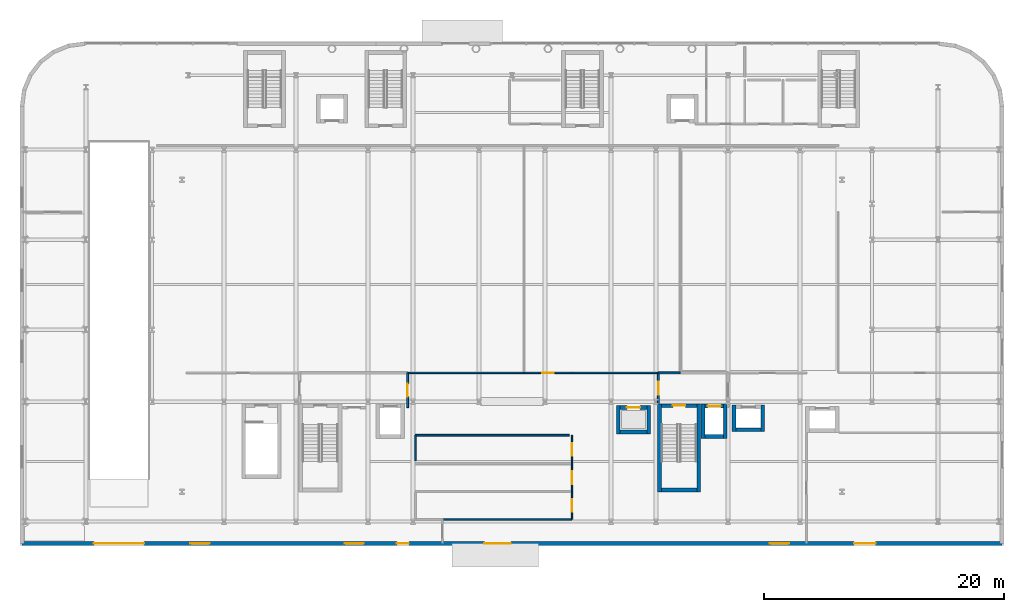
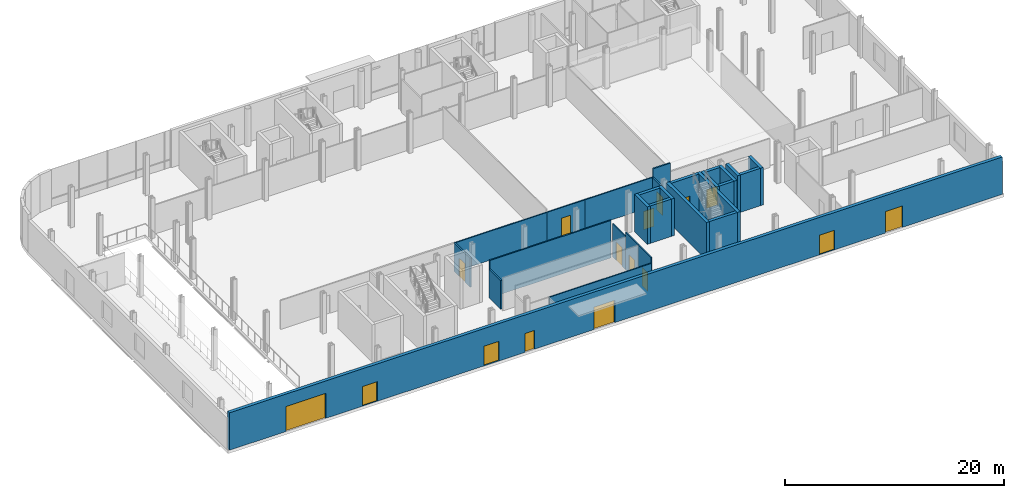
# One storey, part 18 of 28: 28 walls, 16 doors, 16 openings.
"""IFC4 building model written with IfcOpenShell, lengths in metres."""

from ifc_helpers import new_model, si_unit, direction, frame, frame_2d, origin, place, context, subcontext, project, spatial, rectangle, extrude, material, layer, layer_set, type_object, element, fill, save


model = new_model("IFC4")

# Units and contexts
model_context = context("Model", 3, precision=1e-05, world=origin(), true_north=direction((0.0, 1.0)))
body_context = subcontext(model_context, "Body", "Model", "MODEL_VIEW")
ifc_project = project(units=[si_unit("LENGTHUNIT", "METRE"), si_unit("AREAUNIT", "SQUARE_METRE"), si_unit("VOLUMEUNIT", "CUBIC_METRE"), si_unit("PLANEANGLEUNIT", "RADIAN"), si_unit("MASSUNIT", "GRAM", prefix="KILO")], contexts=[model_context])

# Site, building, storey
site_placement = place(None, origin())
site = spatial("IfcSite", under=ifc_project, at=site_placement, CompositionType="ELEMENT")
building_placement = place(site_placement, origin())
building = spatial("IfcBuilding", under=site, at=building_placement, Name="Brevholm Reach", CompositionType="ELEMENT")
storey_placement = place(building_placement, origin())
storey = spatial("IfcBuildingStorey", under=building, at=storey_placement, Name="L00", CompositionType="ELEMENT", Elevation=0.0)

# Walls
ifc_material_1 = material(Name="Concrete C60/75", Category="concrete")
ifc_layer_1 = layer(ifc_material_1, 0.320068359375)
ifc_layer_set_1 = layer_set([ifc_layer_1], Name="Concrete C60/75")
wall_type_1 = type_object("IfcWallType", Name="WAL-COR-320", PredefinedType="SHEAR", material=ifc_layer_set_1)
for number, where, z_axis, x_axis, name in (
    (1, (42.2900390625, 2.4599609375, 0.0), (0.0, 0.0, 1.0), (0.0, 1.0, 0.0), "L00 Escape Stair ST-2 Core Wall W"),
    (2, (45.56005859375, 2.4599609375, 0.0), (0.0, 0.0, 1.0), (0.0, 1.0, 0.0), "L00 Escape Stair ST-2 Core Wall E"),
):
    element("IfcWall", number, at=place(storey_placement, frame(where, z_axis=z_axis, x_axis=x_axis)), inside=storey, type_object=wall_type_1, Name=name, PredefinedType="SHEAR", context=body_context, shape_type="SweptSolid", body=[
        extrude(rectangle(XDim=7.360107421875, YDim=0.320068359375, at=frame_2d((3.68017578125, 0.0))), origin(), (0.0, 0.0, 1.0), 4.179931640625),
    ])
wall_1_placement = place(storey_placement, frame((42.449951171875, 2.6201171875, 0.0), z_axis=(0.0, 0.0, 1.0), x_axis=(1.0, 0.0, 0.0)))
element("IfcWall", 3, at=wall_1_placement, inside=storey, type_object=wall_type_1, Name="L00 Escape Stair ST-2 Core Wall S", PredefinedType="SHEAR", context=body_context, shape_type="SweptSolid", body=[
    extrude(rectangle(XDim=2.949951171875, YDim=0.320068359375, at=frame_2d((1.47509765625, 0.0))), origin(), (0.0, 0.0, 1.0), 4.179931640625),
])

# Wall, opening, door
wall_2_placement = place(storey_placement, frame((45.39990234375, 9.659912109375, 0.0), z_axis=(0.0, 0.0, 1.0), x_axis=(-1.0, 0.0, 0.0)))
wall_2 = element("IfcWall", 4, at=wall_2_placement, inside=storey, type_object=wall_type_1, Name="L00 Escape Stair ST-2 Core Wall N", PredefinedType="SHEAR", context=body_context, shape_type="SweptSolid", body=[
    extrude(rectangle(XDim=2.949951171875, YDim=0.320068359375, at=frame_2d((1.47509765625, 0.0))), origin(), (0.0, 0.0, 1.0), 4.179931640625),
])
opening_1_placement = place(wall_2_placement, frame((0.949951171875, 0.0, 0.0)))
opening_1 = element("IfcOpeningElement", 5, at=opening_1_placement, cuts=wall_2, Name="Opening SD-ST-2", PredefinedType="OPENING", context=body_context, shape_type="SweptSolid", body=[
    extrude(rectangle(XDim=1.050048828125, YDim=2.06005859375, at=frame_2d((0.52490234375, 1.030029296875))), frame((0.0, 0.169921875, 0.0), z_axis=(0.0, -1.0, 0.0), x_axis=(1.0, 0.0, 0.0)), (0.0, 0.0, 1.0), 0.340087890625),
])
ifc_material_2 = material(Name="Hardwood-Lipped Steel-Core Fire and Smoke Door", Category="steel")
door_type_1 = type_object("IfcDoorType", Name="DOR-INT-FD60S", OperationType="NOTDEFINED", PredefinedType="DOOR", material=ifc_material_2)
door_1_placement = place(opening_1_placement, origin())
door_1 = element("IfcDoor", 6, at=door_1_placement, inside=storey, type_object=door_type_1, Name="L00 Protected Stair ST-2 Lobby Door", OperationType="SINGLE_SWING_LEFT", OverallHeight=2.06005859375, OverallWidth=1.050048828125, PredefinedType="DOOR", context=body_context, shape_type="SweptSolid", body=[
    extrude(rectangle(XDim=1.050048828125, YDim=2.06005859375, at=frame_2d((0.52490234375, 1.030029296875))), frame((0.0, 0.02490234375, 0.0), z_axis=(0.0, -1.0, 0.0), x_axis=(1.0, 0.0, 0.0)), (0.0, 0.0, 1.0), 0.050048828125),
])
fill(opening_1, door_1)

# Walls
for number, where, z_axis, x_axis, name in (
    (7, (45.929931640625, 6.919921875, 0.0), (0.0, 0.0, 1.0), (0.0, 1.0, 0.0), "L00 Lift FFL-2 Shaft Wall W"),
    (8, (47.77001953125, 6.919921875, 0.0), (0.0, 0.0, 1.0), (0.0, 1.0, 0.0), "L00 Lift FFL-2 Shaft Wall E"),
):
    element("IfcWall", number, at=place(storey_placement, frame(where, z_axis=z_axis, x_axis=x_axis)), inside=storey, type_object=wall_type_1, Name=name, PredefinedType="SHEAR", context=body_context, shape_type="SweptSolid", body=[
        extrude(rectangle(XDim=2.860107421875, YDim=0.320068359375, at=frame_2d((1.43017578125, 0.0))), origin(), (0.0, 0.0, 1.0), 4.179931640625),
    ])
wall_3_placement = place(storey_placement, frame((46.090087890625, 7.080078125, 0.0), z_axis=(0.0, 0.0, 1.0), x_axis=(1.0, 0.0, 0.0)))
element("IfcWall", 9, at=wall_3_placement, inside=storey, type_object=wall_type_1, Name="L00 Lift FFL-2 Shaft Wall S", PredefinedType="SHEAR", context=body_context, shape_type="SweptSolid", body=[
    extrude(rectangle(XDim=1.52001953125, YDim=0.320068359375, at=frame_2d((0.760009765625, 0.0))), origin(), (0.0, 0.0, 1.0), 4.179931640625),
])

# Wall, opening, door
wall_4_placement = place(storey_placement, frame((46.090087890625, 9.6201171875, 0.0), z_axis=(0.0, 0.0, 1.0), x_axis=(1.0, 0.0, 0.0)))
wall_4 = element("IfcWall", 10, at=wall_4_placement, inside=storey, type_object=wall_type_1, Name="L00 Lift FFL-2 Shaft Wall N", PredefinedType="SHEAR", context=body_context, shape_type="SweptSolid", body=[
    extrude(rectangle(XDim=1.52001953125, YDim=0.320068359375, at=frame_2d((0.760009765625, 0.0))), origin(), (0.0, 0.0, 1.0), 4.179931640625),
])
opening_2_placement = place(wall_4_placement, frame((0.2099609375, 0.0, 0.0)))
opening_2 = element("IfcOpeningElement", 11, at=opening_2_placement, cuts=wall_4, Name="Opening LD-FFL-2", PredefinedType="OPENING", context=body_context, shape_type="SweptSolid", body=[
    extrude(rectangle(XDim=1.10009765625, YDim=2.06005859375, at=frame_2d((0.550048828125, 1.030029296875))), frame((0.0, 0.169921875, 0.0), z_axis=(0.0, -1.0, 0.0), x_axis=(1.0, 0.0, 0.0)), (0.0, 0.0, 1.0), 0.340087890625),
])
ifc_material_3 = material(Name="Brushed Stainless Steel Fire-Rated Sliding Lift Door", Category="steel")
door_type_2 = type_object("IfcDoorType", Name="DOR-LFT-1100", OperationType="NOTDEFINED", PredefinedType="DOOR", material=ifc_material_3)
door_2_placement = place(opening_2_placement, origin())
door_2 = element("IfcDoor", 12, at=door_2_placement, inside=storey, type_object=door_type_2, Name="L00 Lift FFL-2 Sliding Landing Door", OperationType="SLIDING_TO_LEFT", OverallHeight=2.06005859375, OverallWidth=1.10009765625, PredefinedType="DOOR", context=body_context, shape_type="SweptSolid", body=[
    extrude(rectangle(XDim=1.10009765625, YDim=2.06005859375, at=frame_2d((0.550048828125, 1.030029296875))), frame((0.0, 0.02490234375, 0.0), z_axis=(0.0, -1.0, 0.0), x_axis=(1.0, 0.0, 0.0)), (0.0, 0.0, 1.0), 0.050048828125),
])
fill(opening_2, door_2)

# Walls
for number, where, z_axis, x_axis, name in (
    (13, (48.5048828125, 7.4951171875, 0.0), (0.0, 0.0, 1.0), (0.0, 1.0, 0.0), "L00 Lift PL-L1 Shaft Wall W"),
    (14, (50.89501953125, 7.4951171875, 0.0), (0.0, 0.0, 1.0), (0.0, 1.0, 0.0), "L00 Lift PL-L1 Shaft Wall E"),
):
    element("IfcWall", number, at=place(storey_placement, frame(where, z_axis=z_axis, x_axis=x_axis)), inside=storey, type_object=wall_type_1, Name=name, PredefinedType="SHEAR", context=body_context, shape_type="SweptSolid", body=[
        extrude(rectangle(XDim=2.2099609375, YDim=0.320068359375, at=frame_2d((1.10498046875, 0.0))), origin(), (0.0, 0.0, 1.0), 4.179931640625),
    ])
wall_5_placement = place(storey_placement, frame((48.6650390625, 7.655029296875, 0.0), z_axis=(0.0, 0.0, 1.0), x_axis=(1.0, 0.0, 0.0)))
element("IfcWall", 15, at=wall_5_placement, inside=storey, type_object=wall_type_1, Name="L00 Lift PL-L1 Shaft Wall S", PredefinedType="SHEAR", context=body_context, shape_type="SweptSolid", body=[
    extrude(rectangle(XDim=2.070068359375, YDim=0.320068359375, at=frame_2d((1.03515625, 0.0))), origin(), (0.0, 0.0, 1.0), 4.179931640625),
])
for number, where, z_axis, x_axis, name in (
    (16, (38.85009765625, 7.320068359375, 0.0), (0.0, 0.0, 1.0), (0.0, 1.0, 0.0), "L00 Lift PL-S1 Shaft Wall W"),
    (17, (41.389892578125, 7.320068359375, 0.0), (0.0, 0.0, 1.0), (0.0, 1.0, 0.0), "L00 Lift PL-S1 Shaft Wall E"),
):
    element("IfcWall", number, at=place(storey_placement, frame(where, z_axis=z_axis, x_axis=x_axis)), inside=storey, type_object=wall_type_1, Name=name, PredefinedType="SHEAR", context=body_context, shape_type="SweptSolid", body=[
        extrude(rectangle(XDim=2.35986328125, YDim=0.320068359375, at=frame_2d((1.179931640625, 0.0))), origin(), (0.0, 0.0, 1.0), 4.179931640625),
    ])
wall_6_placement = place(storey_placement, frame((39.010009765625, 7.47998046875, 0.0), z_axis=(0.0, 0.0, 1.0), x_axis=(1.0, 0.0, 0.0)))
element("IfcWall", 18, at=wall_6_placement, inside=storey, type_object=wall_type_1, Name="L00 Lift PL-S1 Shaft Wall S", PredefinedType="SHEAR", context=body_context, shape_type="SweptSolid", body=[
    extrude(rectangle(XDim=2.219970703125, YDim=0.320068359375, at=frame_2d((1.10986328125, 0.0))), origin(), (0.0, 0.0, 1.0), 4.179931640625),
])

# Wall, opening, door
wall_7_placement = place(storey_placement, frame((39.010009765625, 9.52001953125, 0.0), z_axis=(0.0, 0.0, 1.0), x_axis=(1.0, 0.0, 0.0)))
wall_7 = element("IfcWall", 19, at=wall_7_placement, inside=storey, type_object=wall_type_1, Name="L00 Lift PL-S1 Shaft Wall N", PredefinedType="SHEAR", context=body_context, shape_type="SweptSolid", body=[
    extrude(rectangle(XDim=2.219970703125, YDim=0.320068359375, at=frame_2d((1.10986328125, 0.0))), origin(), (0.0, 0.0, 1.0), 4.179931640625),
])
opening_3_placement = place(wall_7_placement, frame((0.56005859375, 0.0, 0.0)))
opening_3 = element("IfcOpeningElement", 20, at=opening_3_placement, cuts=wall_7, Name="Opening LD-PL-S1", PredefinedType="OPENING", context=body_context, shape_type="SweptSolid", body=[
    extrude(rectangle(XDim=1.10009765625, YDim=2.06005859375, at=frame_2d((0.550048828125, 1.030029296875))), frame((0.0, 0.169921875, 0.0), z_axis=(0.0, -1.0, 0.0), x_axis=(1.0, 0.0, 0.0)), (0.0, 0.0, 1.0), 0.340087890625),
])
door_3_placement = place(opening_3_placement, origin())
door_3 = element("IfcDoor", 21, at=door_3_placement, inside=storey, type_object=door_type_2, Name="L00 Lift PL-S1 Sliding Landing Door", OperationType="SLIDING_TO_RIGHT", OverallHeight=2.06005859375, OverallWidth=1.10009765625, PredefinedType="DOOR", context=body_context, shape_type="SweptSolid", body=[
    extrude(rectangle(XDim=1.10009765625, YDim=2.06005859375, at=frame_2d((0.550048828125, 1.030029296875))), frame((0.0, 0.02490234375, 0.0), z_axis=(0.0, -1.0, 0.0), x_axis=(1.0, 0.0, 0.0)), (0.0, 0.0, 1.0), 0.050048828125),
])
fill(opening_3, door_3)

# Wall, openings, doors
ifc_material_4 = material(Name="Concrete C40/50", Category="concrete")
ifc_layer_2 = layer(ifc_material_4, 0.340087890625)
ifc_layer_set_2 = layer_set([ifc_layer_2], Name="Concrete C40/50")
wall_type_2 = type_object("IfcWallType", Name="WAL-EXT-340", PredefinedType="STANDARD", material=ifc_layer_set_2)
wall_8_placement = place(storey_placement, frame((70.830078125, -1.830078125, 0.0), z_axis=(0.0, 0.0, 1.0), x_axis=(-1.0, 0.0, 0.0)))
wall_8 = element("IfcWall", 22, at=wall_8_placement, inside=storey, type_object=wall_type_2, Name="L00 Facade Wall WAL-L00-S", PredefinedType="STANDARD", context=body_context, shape_type="SweptSolid", body=[
    extrude(rectangle(XDim=81.66015625, YDim=0.340087890625, at=frame_2d((40.830078125, 0.0))), origin(), (0.0, 0.0, 1.0), 4.179931640625),
])
opening_4_placement = place(wall_8_placement, frame((71.47998046875, 0.0, 0.0)))
opening_4 = element("IfcOpeningElement", 23, at=opening_4_placement, cuts=wall_8, Name="Opening RS-01", PredefinedType="OPENING", context=body_context, shape_type="SweptSolid", body=[
    extrude(rectangle(XDim=4.199951171875, YDim=2.800048828125, at=frame_2d((2.10009765625, 1.39990234375))), frame((0.0, 0.179931640625, 0.0), z_axis=(0.0, -1.0, 0.0), x_axis=(1.0, 0.0, 0.0)), (0.0, 0.0, 1.0), 0.360107421875),
])
opening_5_placement = place(wall_8_placement, frame((66.030029296875, 0.0, 0.0)))
opening_5 = element("IfcOpeningElement", 24, at=opening_5_placement, cuts=wall_8, Name="Opening ED-03", PredefinedType="OPENING", context=body_context, shape_type="SweptSolid", body=[
    extrude(rectangle(XDim=1.60009765625, YDim=2.199951171875, at=frame_2d((0.800048828125, 1.10009765625))), frame((0.0, 0.179931640625, 0.0), z_axis=(0.0, -1.0, 0.0), x_axis=(1.0, 0.0, 0.0)), (0.0, 0.0, 1.0), 0.360107421875),
])
opening_6_placement = place(wall_8_placement, frame((53.179931640625, 0.0, 0.0)))
opening_6 = element("IfcOpeningElement", 25, at=opening_6_placement, cuts=wall_8, Name="Opening ED-03", PredefinedType="OPENING", context=body_context, shape_type="SweptSolid", body=[
    extrude(rectangle(XDim=1.60009765625, YDim=2.199951171875, at=frame_2d((0.800048828125, 1.10009765625))), frame((0.0, 0.179931640625, 0.0), z_axis=(0.0, -1.0, 0.0), x_axis=(1.0, 0.0, 0.0)), (0.0, 0.0, 1.0), 0.360107421875),
])
opening_7_placement = place(wall_8_placement, frame((49.429931640625, 0.0, 0.0)))
opening_7 = element("IfcOpeningElement", 26, at=opening_7_placement, cuts=wall_8, Name="Opening ED-06", PredefinedType="OPENING", context=body_context, shape_type="SweptSolid", body=[
    extrude(rectangle(XDim=1.0, YDim=2.10009765625, at=frame_2d((0.5, 1.050048828125))), frame((0.0, 0.179931640625, 0.0), z_axis=(0.0, -1.0, 0.0), x_axis=(1.0, 0.0, 0.0)), (0.0, 0.0, 1.0), 0.360107421875),
])
opening_8_placement = place(wall_8_placement, frame((40.929931640625, 0.0, 0.0)))
opening_8 = element("IfcOpeningElement", 27, at=opening_8_placement, cuts=wall_8, Name="Opening ED-01", PredefinedType="OPENING", context=body_context, shape_type="SweptSolid", body=[
    extrude(rectangle(XDim=2.199951171875, YDim=2.5, at=frame_2d((1.10009765625, 1.25))), frame((0.0, 0.179931640625, 0.0), z_axis=(0.0, -1.0, 0.0), x_axis=(1.0, 0.0, 0.0)), (0.0, 0.0, 1.0), 0.360107421875),
])
opening_9_placement = place(wall_8_placement, frame((17.72998046875, 0.0, 0.0)))
opening_9 = element("IfcOpeningElement", 28, at=opening_9_placement, cuts=wall_8, Name="Opening ED-03", PredefinedType="OPENING", context=body_context, shape_type="SweptSolid", body=[
    extrude(rectangle(XDim=1.60009765625, YDim=2.199951171875, at=frame_2d((0.800048828125, 1.10009765625))), frame((0.0, 0.179931640625, 0.0), z_axis=(0.0, -1.0, 0.0), x_axis=(1.0, 0.0, 0.0)), (0.0, 0.0, 1.0), 0.360107421875),
])
opening_10_placement = place(wall_8_placement, frame((10.530029296875, 0.0, 0.0)))
opening_10 = element("IfcOpeningElement", 29, at=opening_10_placement, cuts=wall_8, Name="Opening ED-02", PredefinedType="OPENING", context=body_context, shape_type="SweptSolid", body=[
    extrude(rectangle(XDim=1.800048828125, YDim=2.39990234375, at=frame_2d((0.89990234375, 1.199951171875))), frame((0.0, 0.179931640625, 0.0), z_axis=(0.0, -1.0, 0.0), x_axis=(1.0, 0.0, 0.0)), (0.0, 0.0, 1.0), 0.360107421875),
])
ifc_material_5 = material(Name="Bronze-Anodised Aluminium and Laminated Glass", Category="aluminium")
door_type_3 = type_object("IfcDoorType", Name="DOR-EXT-DBL", OperationType="NOTDEFINED", PredefinedType="DOOR", material=ifc_material_5)
door_4_placement = place(opening_10_placement, origin())
door_4 = element("IfcDoor", 30, at=door_4_placement, inside=storey, type_object=door_type_3, Name="L00 Exterior Door DOR-L00-EST-ENT", OperationType="DOUBLE_DOOR_SINGLE_SWING", OverallHeight=2.39990234375, OverallWidth=1.800048828125, PredefinedType="DOOR", context=body_context, shape_type="SweptSolid", body=[
    extrude(rectangle(XDim=1.800048828125, YDim=2.39990234375, at=frame_2d((0.89990234375, 1.199951171875))), frame((0.0, 0.02490234375, 0.0), z_axis=(0.0, -1.0, 0.0), x_axis=(1.0, 0.0, 0.0)), (0.0, 0.0, 1.0), 0.050048828125),
])
fill(opening_10, door_4)
ifc_material_6 = material(Name="Marine Powder-Coated Galvanised Steel", Category="steel")
door_type_4 = type_object("IfcDoorType", Name="DOR-EXT-ESC", OperationType="NOTDEFINED", PredefinedType="DOOR", material=ifc_material_6)
door_5_placement = place(opening_5_placement, origin())
door_5 = element("IfcDoor", 31, at=door_5_placement, inside=storey, type_object=door_type_4, Name="L00 Exterior Door DOR-L00-EXIT-B1", OperationType="DOUBLE_DOOR_SINGLE_SWING", OverallHeight=2.199951171875, OverallWidth=1.60009765625, PredefinedType="DOOR", context=body_context, shape_type="SweptSolid", body=[
    extrude(rectangle(XDim=1.60009765625, YDim=2.199951171875, at=frame_2d((0.800048828125, 1.10009765625))), frame((0.0, 0.02490234375, 0.0), z_axis=(0.0, -1.0, 0.0), x_axis=(1.0, 0.0, 0.0)), (0.0, 0.0, 1.0), 0.050048828125),
])
fill(opening_5, door_5)
door_6_placement = place(opening_6_placement, origin())
door_6 = element("IfcDoor", 32, at=door_6_placement, inside=storey, type_object=door_type_4, Name="L00 Exterior Door DOR-L00-EXIT-W", OperationType="DOUBLE_DOOR_SINGLE_SWING", OverallHeight=2.199951171875, OverallWidth=1.60009765625, PredefinedType="DOOR", context=body_context, shape_type="SweptSolid", body=[
    extrude(rectangle(XDim=1.60009765625, YDim=2.199951171875, at=frame_2d((0.800048828125, 1.10009765625))), frame((0.0, 0.02490234375, 0.0), z_axis=(0.0, -1.0, 0.0), x_axis=(1.0, 0.0, 0.0)), (0.0, 0.0, 1.0), 0.050048828125),
])
fill(opening_6, door_6)
door_7_placement = place(opening_9_placement, origin())
door_7 = element("IfcDoor", 33, at=door_7_placement, inside=storey, type_object=door_type_4, Name="L00 Exterior Door DOR-L00-EXIT-E", OperationType="DOUBLE_DOOR_SINGLE_SWING", OverallHeight=2.199951171875, OverallWidth=1.60009765625, PredefinedType="DOOR", context=body_context, shape_type="SweptSolid", body=[
    extrude(rectangle(XDim=1.60009765625, YDim=2.199951171875, at=frame_2d((0.800048828125, 1.10009765625))), frame((0.0, 0.02490234375, 0.0), z_axis=(0.0, -1.0, 0.0), x_axis=(1.0, 0.0, 0.0)), (0.0, 0.0, 1.0), 0.050048828125),
])
fill(opening_9, door_7)
ifc_material_7 = material(Name="Bronze-Anodised Aluminium and Laminated Glass", Category="aluminium")
door_type_5 = type_object("IfcDoorType", Name="DOR-EXT-FOY", OperationType="NOTDEFINED", PredefinedType="DOOR", material=ifc_material_7)
door_8_placement = place(opening_8_placement, origin())
door_8 = element("IfcDoor", 34, at=door_8_placement, inside=storey, type_object=door_type_5, Name="L00 Exterior Door DOR-L00-RES-ENT", OperationType="DOUBLE_DOOR_SINGLE_SWING", OverallHeight=2.5, OverallWidth=2.199951171875, PredefinedType="DOOR", context=body_context, shape_type="SweptSolid", body=[
    extrude(rectangle(XDim=2.199951171875, YDim=2.5, at=frame_2d((1.10009765625, 1.25))), frame((0.0, 0.02490234375, 0.0), z_axis=(0.0, -1.0, 0.0), x_axis=(1.0, 0.0, 0.0)), (0.0, 0.0, 1.0), 0.050048828125),
])
fill(opening_8, door_8)
ifc_material_8 = material(Name="Marine Powder-Coated Galvanised Steel", Category="steel")
door_type_6 = type_object("IfcDoorType", Name="DOR-ROOF-ACC", OperationType="NOTDEFINED", PredefinedType="DOOR", material=ifc_material_8)
door_9_placement = place(opening_7_placement, origin())
door_9 = element("IfcDoor", 35, at=door_9_placement, inside=storey, type_object=door_type_6, Name="L00 Exterior Door DOR-L00-FCC", OperationType="SINGLE_SWING_RIGHT", OverallHeight=2.10009765625, OverallWidth=1.0, PredefinedType="DOOR", context=body_context, shape_type="SweptSolid", body=[
    extrude(rectangle(XDim=1.0, YDim=2.10009765625, at=frame_2d((0.5, 1.050048828125))), frame((0.0, 0.02490234375, 0.0), z_axis=(0.0, -1.0, 0.0), x_axis=(1.0, 0.0, 0.0)), (0.0, 0.0, 1.0), 0.050048828125),
])
fill(opening_7, door_9)
ifc_material_9 = material(Name="Insulated Powder-Coated Galvanised Steel Slats", Category="steel")
door_type_7 = type_object("IfcDoorType", Name="DOR-VEH-SHUTTER", OperationType="NOTDEFINED", PredefinedType="GATE", material=ifc_material_9)
door_10_placement = place(opening_4_placement, origin())
door_10 = element("IfcDoor", 36, at=door_10_placement, inside=storey, type_object=door_type_7, Name="L00 Exterior Door DOR-L00-RAMP-GATE", OperationType="ROLLINGUP", OverallHeight=2.800048828125, OverallWidth=4.199951171875, PredefinedType="GATE", context=body_context, shape_type="SweptSolid", body=[
    extrude(rectangle(XDim=4.199951171875, YDim=2.800048828125, at=frame_2d((2.10009765625, 1.39990234375))), frame((0.0, 0.02490234375, 0.0), z_axis=(0.0, -1.0, 0.0), x_axis=(1.0, 0.0, 0.0)), (0.0, 0.0, 1.0), 0.050048828125),
])
fill(opening_4, door_10)

# Wall, opening, door
ifc_material_10 = material(Name="Acoustic Fire-Rated Classroom Gypsum Partition 120 mm", Category="gypsum")
ifc_layer_3 = layer(ifc_material_10, 0.1201171875)
ifc_layer_set_3 = layer_set([ifc_layer_3], Name="Acoustic Fire-Rated Classroom Gypsum Partition 120 mm")
wall_type_3 = type_object("IfcWallType", Name="WAL-PRT-120", PredefinedType="PARTITIONING", material=ifc_layer_set_3)
wall_9_placement = place(storey_placement, frame((35.0, 0.179931640625, 0.0), z_axis=(0.0, 0.0, 1.0), x_axis=(0.0, 1.0, 0.0)))
wall_9 = element("IfcWall", 37, at=wall_9_placement, inside=storey, type_object=wall_type_3, Name="L00 Internal Partition 001", PredefinedType="PARTITIONING", context=body_context, shape_type="SweptSolid", body=[
    extrude(rectangle(XDim=2.328369140625, YDim=0.1201171875, at=frame_2d((1.1640625, 0.0))), origin(), (0.0, 0.0, 1.0), 4.179931640625),
])
opening_11_placement = place(wall_9_placement, frame((0.63916015625, 0.0, 0.0)))
opening_11 = element("IfcOpeningElement", 38, at=opening_11_placement, cuts=wall_9, Name="Opening FD-01", PredefinedType="OPENING", context=body_context, shape_type="SweptSolid", body=[
    extrude(rectangle(XDim=1.050048828125, YDim=2.06005859375, at=frame_2d((0.52490234375, 1.030029296875))), frame((0.0, 0.070068359375, 0.0), z_axis=(0.0, -1.0, 0.0), x_axis=(1.0, 0.0, 0.0)), (0.0, 0.0, 1.0), 0.14013671875),
])
door_11_placement = place(opening_11_placement, origin())
door_11 = element("IfcDoor", 39, at=door_11_placement, inside=storey, type_object=door_type_1, Name="L00 Internal Door 001", OperationType="SINGLE_SWING_RIGHT", OverallHeight=2.06005859375, OverallWidth=1.050048828125, PredefinedType="DOOR", context=body_context, shape_type="SweptSolid", body=[
    extrude(rectangle(XDim=1.050048828125, YDim=2.06005859375, at=frame_2d((0.52490234375, 1.030029296875))), frame((0.0, 0.02490234375, 0.0), z_axis=(0.0, -1.0, 0.0), x_axis=(1.0, 0.0, 0.0)), (0.0, 0.0, 1.0), 0.050048828125),
])
fill(opening_11, door_11)

wall_10_placement = place(storey_placement, frame((35.0, 2.48974609375, 0.0), z_axis=(0.0, 0.0, 1.0), x_axis=(0.0, 1.0, 0.0)))
wall_10 = element("IfcWall", 40, at=wall_10_placement, inside=storey, type_object=wall_type_3, Name="L00 Internal Partition 002", PredefinedType="PARTITIONING", context=body_context, shape_type="SweptSolid", body=[
    extrude(rectangle(XDim=2.33447265625, YDim=0.1201171875, at=frame_2d((1.167236328125, 0.0))), origin(), (0.0, 0.0, 1.0), 4.179931640625),
])
opening_12_placement = place(wall_10_placement, frame((0.642333984375, 0.0, 0.0)))
opening_12 = element("IfcOpeningElement", 41, at=opening_12_placement, cuts=wall_10, Name="Opening FD-01", PredefinedType="OPENING", context=body_context, shape_type="SweptSolid", body=[
    extrude(rectangle(XDim=1.050048828125, YDim=2.06005859375, at=frame_2d((0.52490234375, 1.030029296875))), frame((0.0, 0.070068359375, 0.0), z_axis=(0.0, -1.0, 0.0), x_axis=(1.0, 0.0, 0.0)), (0.0, 0.0, 1.0), 0.14013671875),
])
door_12_placement = place(opening_12_placement, origin())
door_12 = element("IfcDoor", 42, at=door_12_placement, inside=storey, type_object=door_type_1, Name="L00 Internal Door 002", OperationType="SINGLE_SWING_LEFT", OverallHeight=2.06005859375, OverallWidth=1.050048828125, PredefinedType="DOOR", context=body_context, shape_type="SweptSolid", body=[
    extrude(rectangle(XDim=1.050048828125, YDim=2.06005859375, at=frame_2d((0.52490234375, 1.030029296875))), frame((0.0, 0.02490234375, 0.0), z_axis=(0.0, -1.0, 0.0), x_axis=(1.0, 0.0, 0.0)), (0.0, 0.0, 1.0), 0.050048828125),
])
fill(opening_12, door_12)

wall_11_placement = place(storey_placement, frame((35.0, 4.8056640625, 0.0), z_axis=(0.0, 0.0, 1.0), x_axis=(0.0, 1.0, 0.0)))
wall_11 = element("IfcWall", 43, at=wall_11_placement, inside=storey, type_object=wall_type_3, Name="L00 Internal Partition 003", PredefinedType="PARTITIONING", context=body_context, shape_type="SweptSolid", body=[
    extrude(rectangle(XDim=2.405517578125, YDim=0.1201171875, at=frame_2d((1.20263671875, 0.0))), origin(), (0.0, 0.0, 1.0), 3.697998046875),
])
opening_13_placement = place(wall_11_placement, frame((0.677734375, 0.0, 0.0)))
opening_13 = element("IfcOpeningElement", 44, at=opening_13_placement, cuts=wall_11, Name="Opening FD-01", PredefinedType="OPENING", context=body_context, shape_type="SweptSolid", body=[
    extrude(rectangle(XDim=1.050048828125, YDim=2.06005859375, at=frame_2d((0.52490234375, 1.030029296875))), frame((0.0, 0.070068359375, 0.0), z_axis=(0.0, -1.0, 0.0), x_axis=(1.0, 0.0, 0.0)), (0.0, 0.0, 1.0), 0.14013671875),
])
door_13_placement = place(opening_13_placement, origin())
door_13 = element("IfcDoor", 45, at=door_13_placement, inside=storey, type_object=door_type_1, Name="L00 Internal Door 003", OperationType="SINGLE_SWING_RIGHT", OverallHeight=2.06005859375, OverallWidth=1.050048828125, PredefinedType="DOOR", context=body_context, shape_type="SweptSolid", body=[
    extrude(rectangle(XDim=1.050048828125, YDim=2.06005859375, at=frame_2d((0.52490234375, 1.030029296875))), frame((0.0, 0.02490234375, 0.0), z_axis=(0.0, -1.0, 0.0), x_axis=(1.0, 0.0, 0.0)), (0.0, 0.0, 1.0), 0.050048828125),
])
fill(opening_13, door_13)

# Walls
wall_12_placement = place(storey_placement, frame((24.192626953125, 0.179931640625, 0.0), z_axis=(0.0, 0.0, 1.0), x_axis=(1.0, 0.0, 0.0)))
element("IfcWall", 46, at=wall_12_placement, inside=storey, type_object=wall_type_3, Name="L00 Internal Partition 007", PredefinedType="PARTITIONING", context=body_context, shape_type="SweptSolid", body=[
    extrude(rectangle(XDim=10.803466796875, YDim=0.1201171875, at=frame_2d((5.40185546875, 0.0))), origin(), (0.0, 0.0, 1.0), 3.542724609375),
])
wall_13_placement = place(storey_placement, frame((21.303955078125, 12.39990234375, 0.0), z_axis=(0.0, 0.0, 1.0), x_axis=(1.0, 0.0, 0.0)))
element("IfcWall", 47, at=wall_13_placement, inside=storey, type_object=wall_type_3, Name="L00 Internal Partition 021", PredefinedType="PARTITIONING", context=body_context, shape_type="SweptSolid", body=[
    extrude(rectangle(XDim=9.707275390625, YDim=0.1201171875, at=frame_2d((4.853515625, 0.0))), origin(), (0.0, 0.0, 1.0), 3.228515625),
])

# Wall, opening, door
wall_14_placement = place(storey_placement, frame((30.99267578125, 12.39990234375, 0.0), z_axis=(0.0, 0.0, 1.0), x_axis=(1.0, 0.0, 0.0)))
wall_14 = element("IfcWall", 48, at=wall_14_placement, inside=storey, type_object=wall_type_3, Name="L00 Internal Partition 022", PredefinedType="PARTITIONING", context=body_context, shape_type="SweptSolid", body=[
    extrude(rectangle(XDim=4.00732421875, YDim=0.1201171875, at=frame_2d((2.003662109375, 0.0))), origin(), (0.0, 0.0, 1.0), 3.228515625),
])
opening_14_placement = place(wall_14_placement, frame((1.52880859375, 0.0, 0.0)))
opening_14 = element("IfcOpeningElement", 49, at=opening_14_placement, cuts=wall_14, Name="Opening ID-30", PredefinedType="OPENING", context=body_context, shape_type="SweptSolid", body=[
    extrude(rectangle(XDim=0.949951171875, YDim=2.050048828125, at=frame_2d((0.47509765625, 1.02490234375))), frame((0.0, 0.070068359375, 0.0), z_axis=(0.0, -1.0, 0.0), x_axis=(1.0, 0.0, 0.0)), (0.0, 0.0, 1.0), 0.14013671875),
])
ifc_material_11 = material(Name="European Oak Veneered Solid-Core Fire Entrance Door", Category="timber")
door_type_8 = type_object("IfcDoorType", Name="DOR-FLT-FD30S", OperationType="NOTDEFINED", PredefinedType="DOOR", material=ifc_material_11)
door_14_placement = place(opening_14_placement, origin())
door_14 = element("IfcDoor", 50, at=door_14_placement, inside=storey, type_object=door_type_8, Name="L00 Internal Door 013", OperationType="SINGLE_SWING_RIGHT", OverallHeight=2.050048828125, OverallWidth=0.949951171875, PredefinedType="DOOR", context=body_context, shape_type="SweptSolid", body=[
    extrude(rectangle(XDim=0.949951171875, YDim=2.050048828125, at=frame_2d((0.47509765625, 1.02490234375))), frame((0.0, 0.02490234375, 0.0), z_axis=(0.0, -1.0, 0.0), x_axis=(1.0, 0.0, 0.0)), (0.0, 0.0, 1.0), 0.050048828125),
])
fill(opening_14, door_14)

# Walls
wall_15_placement = place(storey_placement, frame((35.00390625, 12.39990234375, 0.0), z_axis=(0.0, 0.0, 1.0), x_axis=(1.0, 0.0, 0.0)))
element("IfcWall", 51, at=wall_15_placement, inside=storey, type_object=wall_type_3, Name="L00 Internal Partition 023", PredefinedType="PARTITIONING", context=body_context, shape_type="SweptSolid", body=[
    extrude(rectangle(XDim=7.192138671875, YDim=0.1201171875, at=frame_2d((3.59619140625, 0.0))), origin(), (0.0, 0.0, 1.0), 3.228515625),
])
ifc_material_12 = material(Name="Twin-Stud Acoustic Fire-Rated Gypsum Partition 140 mm", Category="gypsum")
ifc_layer_4 = layer(ifc_material_12, 0.139892578125)
ifc_layer_set_4 = layer_set([ifc_layer_4], Name="Twin-Stud Acoustic Fire-Rated Gypsum Partition 140 mm")
wall_type_4 = type_object("IfcWallType", Name="WAL-PRT-140", PredefinedType="PARTITIONING", material=ifc_layer_set_4)
wall_16_placement = place(storey_placement, frame((21.949951171875, 7.199951171875, 0.0), z_axis=(0.0, 0.0, 1.0), x_axis=(1.0, 0.0, 0.0)))
element("IfcWall", 52, at=wall_16_placement, inside=storey, type_object=wall_type_4, Name="L00 Internal Partition 043", PredefinedType="PARTITIONING", context=body_context, shape_type="SweptSolid", body=[
    extrude(rectangle(XDim=12.81005859375, YDim=0.139892578125, at=frame_2d((6.405029296875, 0.0))), origin(), (0.0, 0.0, 1.0), 4.179931640625),
])
wall_17_placement = place(storey_placement, frame((21.949951171875, 5.052978515625, 0.0), z_axis=(0.0, 0.0, 1.0), x_axis=(0.0, 1.0, 0.0)))
element("IfcWall", 53, at=wall_17_placement, inside=storey, type_object=wall_type_4, Name="L00 Internal Partition 044", PredefinedType="PARTITIONING", context=body_context, shape_type="SweptSolid", body=[
    extrude(rectangle(XDim=2.14697265625, YDim=0.139892578125, at=frame_2d((1.073486328125, 0.0))), origin(), (0.0, 0.0, 1.0), 3.228515625),
])

# Wall, opening, door
ifc_material_13 = material(Name="Twin-Frame Fire-Rated Gypsum Board and Mineral Wool 160 mm", Category="gypsum")
ifc_layer_5 = layer(ifc_material_13, 0.159912109375)
ifc_layer_set_5 = layer_set([ifc_layer_5], Name="Twin-Frame Fire-Rated Gypsum Board and Mineral Wool 160 mm")
wall_type_5 = type_object("IfcWallType", Name="WAL-PRT-160", PredefinedType="PARTITIONING", material=ifc_layer_set_5)
wall_18_placement = place(storey_placement, frame((21.300048828125, 9.5, 0.0), z_axis=(0.0, 0.0, 1.0), x_axis=(0.0, 1.0, 0.0)))
wall_18 = element("IfcWall", 54, at=wall_18_placement, inside=storey, type_object=wall_type_5, Name="L00 Internal Partition 011", PredefinedType="PARTITIONING", context=body_context, shape_type="SweptSolid", body=[
    extrude(rectangle(XDim=2.89990234375, YDim=0.159912109375, at=frame_2d((1.449951171875, 0.0))), origin(), (0.0, 0.0, 1.0), 3.228515625),
])
opening_15_placement = place(wall_18_placement, frame((0.925048828125, 0.0, 0.0)))
opening_15 = element("IfcOpeningElement", 55, at=opening_15_placement, cuts=wall_18, Name="Opening FD-01", PredefinedType="OPENING", context=body_context, shape_type="SweptSolid", body=[
    extrude(rectangle(XDim=1.050048828125, YDim=2.06005859375, at=frame_2d((0.52490234375, 1.030029296875))), frame((0.0, 0.08984375, 0.0), z_axis=(0.0, -1.0, 0.0), x_axis=(1.0, 0.0, 0.0)), (0.0, 0.0, 1.0), 0.179931640625),
])
door_15_placement = place(opening_15_placement, origin())
door_15 = element("IfcDoor", 56, at=door_15_placement, inside=storey, type_object=door_type_1, Name="L00 Internal Door 006", OperationType="SINGLE_SWING_LEFT", OverallHeight=2.06005859375, OverallWidth=1.050048828125, PredefinedType="DOOR", context=body_context, shape_type="SweptSolid", body=[
    extrude(rectangle(XDim=1.050048828125, YDim=2.06005859375, at=frame_2d((0.52490234375, 1.030029296875))), frame((0.0, 0.02490234375, 0.0), z_axis=(0.0, -1.0, 0.0), x_axis=(1.0, 0.0, 0.0)), (0.0, 0.0, 1.0), 0.050048828125),
])
fill(opening_15, door_15)

wall_19_placement = place(storey_placement, frame((42.199951171875, 9.830078125, 0.0), z_axis=(0.0, 0.0, 1.0), x_axis=(0.0, 1.0, 0.0)))
wall_19 = element("IfcWall", 57, at=wall_19_placement, inside=storey, type_object=wall_type_5, Name="L00 Internal Partition 014", PredefinedType="PARTITIONING", context=body_context, shape_type="SweptSolid", body=[
    extrude(rectangle(XDim=2.56982421875, YDim=0.159912109375, at=frame_2d((1.284912109375, 0.0))), origin(), (0.0, 0.0, 1.0), 3.228515625),
])
opening_16_placement = place(wall_19_placement, frame((0.760009765625, 0.0, 0.0)))
opening_16 = element("IfcOpeningElement", 58, at=opening_16_placement, cuts=wall_19, Name="Opening FD-01", PredefinedType="OPENING", context=body_context, shape_type="SweptSolid", body=[
    extrude(rectangle(XDim=1.050048828125, YDim=2.06005859375, at=frame_2d((0.52490234375, 1.030029296875))), frame((0.0, 0.08984375, 0.0), z_axis=(0.0, -1.0, 0.0), x_axis=(1.0, 0.0, 0.0)), (0.0, 0.0, 1.0), 0.179931640625),
])
door_16_placement = place(opening_16_placement, origin())
door_16 = element("IfcDoor", 59, at=door_16_placement, inside=storey, type_object=door_type_1, Name="L00 Internal Door 008", OperationType="SINGLE_SWING_LEFT", OverallHeight=2.06005859375, OverallWidth=1.050048828125, PredefinedType="DOOR", context=body_context, shape_type="SweptSolid", body=[
    extrude(rectangle(XDim=1.050048828125, YDim=2.06005859375, at=frame_2d((0.52490234375, 1.030029296875))), frame((0.0, 0.02490234375, 0.0), z_axis=(0.0, -1.0, 0.0), x_axis=(1.0, 0.0, 0.0)), (0.0, 0.0, 1.0), 0.050048828125),
])
fill(opening_16, door_16)

# Wall
wall_20_placement = place(storey_placement, frame((42.199951171875, 12.39990234375, 0.0), z_axis=(0.0, 0.0, 1.0), x_axis=(1.0, 0.0, 0.0)))
element("IfcWall", 60, at=wall_20_placement, inside=storey, type_object=wall_type_5, Name="L00 Internal Partition 015", PredefinedType="PARTITIONING", context=body_context, shape_type="SweptSolid", body=[
    extrude(rectangle(XDim=1.811279296875, YDim=0.159912109375, at=frame_2d((0.90576171875, 0.0))), origin(), (0.0, 0.0, 1.0), 4.179931640625),
])

save(model, "model.ifc")
